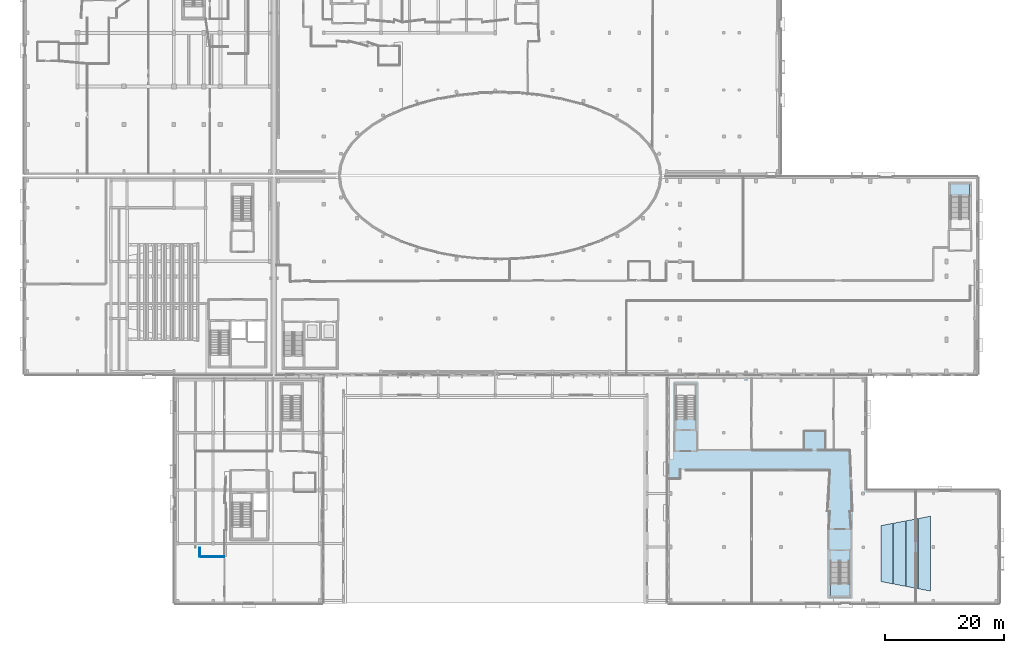
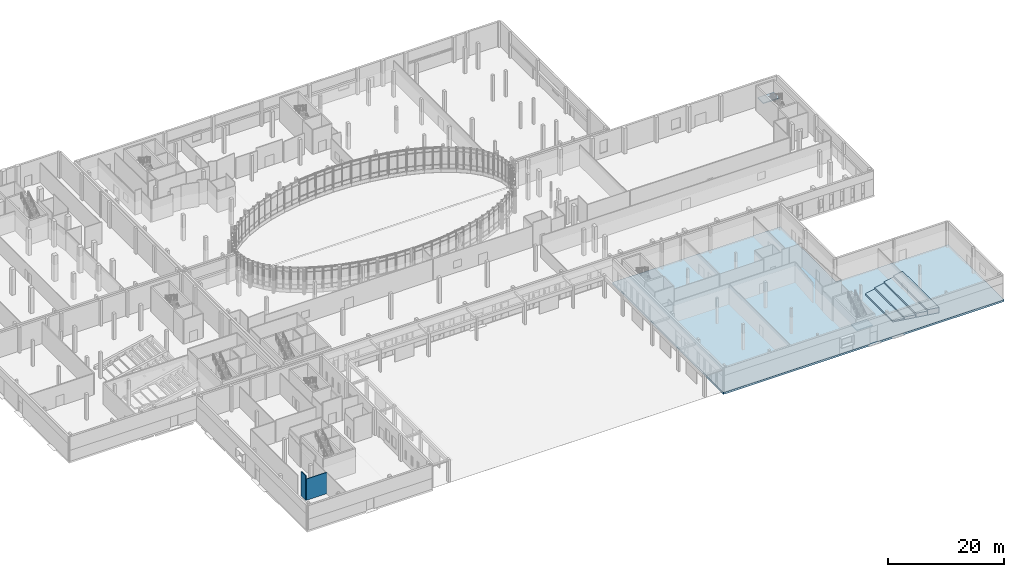
# One storey, part 37 of 84: 7 slabs, 2 walls, 2 elements without a shape of their own.
"""IFC4 building model written with IfcOpenShell, lengths in metres."""

from ifc_helpers import new_model, si_unit, direction, frame, frame_2d, origin, place, context, subcontext, project, spatial, polyline, rectangle, outline, extrude, material, layer, layer_set, type_object, element, aggregate, save


model = new_model("IFC4")

# Units and contexts
model_context = context("Model", 3, precision=1e-05, world=origin(), true_north=direction((0.0, 1.0)))
body_context = subcontext(model_context, "Body", "Model", "MODEL_VIEW")
ifc_project = project(units=[si_unit("LENGTHUNIT", "METRE"), si_unit("AREAUNIT", "SQUARE_METRE"), si_unit("VOLUMEUNIT", "CUBIC_METRE"), si_unit("PLANEANGLEUNIT", "RADIAN"), si_unit("MASSUNIT", "GRAM", prefix="KILO")], contexts=[model_context])

# Site, building, storey
site_placement = place(None, origin())
site = spatial("IfcSite", under=ifc_project, at=site_placement, CompositionType="ELEMENT")
building_placement = place(site_placement, origin())
building = spatial("IfcBuilding", under=site, at=building_placement, Name="Mzevani Central Library", CompositionType="ELEMENT")
storey_placement = place(building_placement, origin())
storey = spatial("IfcBuildingStorey", under=building, at=storey_placement, Name="L00", CompositionType="ELEMENT", Elevation=0.0)

# Slabs
ifc_material_1 = material(Name="Concrete C35/45", Category="concrete")
ifc_layer_1 = layer(ifc_material_1, 0.239990234375, Name="Auditorium Raked Tier Slab 240")
ifc_layer_set_1 = layer_set([ifc_layer_1], Name="Concrete C35/45")
slab_type_1 = type_object("IfcSlabType", Name="Auditorium Raked Tier Slab 240", PredefinedType="USERDEFINED", material=ifc_layer_set_1)
slab_1_placement = place(storey_placement, origin())
element("IfcSlab", 1, at=slab_1_placement, inside=storey, type_object=slab_type_1, Name="L00 Storytelling Amphitheatre Tier 1", ObjectType="SEATING TIER", PredefinedType="USERDEFINED", context=body_context, shape_type="SweptSolid", body=[
    extrude(outline(polyline([(148.0, 7.800048828125), (150.050048828125, 7.39990234375), (150.050048828125, 17.60009765625), (148.0, 17.199951171875), (148.0, 7.800048828125)])), origin(), (0.0, 0.0, 1.0), 0.280029296875),
])
slab_2_placement = place(storey_placement, origin())
element("IfcSlab", 2, at=slab_2_placement, inside=storey, type_object=slab_type_1, Name="L00 Storytelling Amphitheatre Tier 2", ObjectType="SEATING TIER", PredefinedType="USERDEFINED", context=body_context, shape_type="SweptSolid", body=[
    extrude(outline(polyline([(150.10009765625, 7.39990234375), (152.14990234375, 7.0), (152.14990234375, 18.0), (150.10009765625, 17.60009765625), (150.10009765625, 7.39990234375)])), origin(), (0.0, 0.0, 1.0), 0.56005859375),
])
slab_3_placement = place(storey_placement, origin())
element("IfcSlab", 3, at=slab_3_placement, inside=storey, type_object=slab_type_1, Name="L00 Storytelling Amphitheatre Tier 3", ObjectType="SEATING TIER", PredefinedType="USERDEFINED", context=body_context, shape_type="SweptSolid", body=[
    extrude(outline(polyline([(152.199951171875, 7.0), (154.25, 6.60009765625), (154.25, 18.39990234375), (152.199951171875, 18.0), (152.199951171875, 7.0)])), origin(), (0.0, 0.0, 1.0), 0.840087890625),
])
slab_4_placement = place(storey_placement, origin())
element("IfcSlab", 4, at=slab_4_placement, inside=storey, type_object=slab_type_1, Name="L00 Storytelling Amphitheatre Tier 4", ObjectType="SEATING TIER", PredefinedType="USERDEFINED", context=body_context, shape_type="SweptSolid", body=[
    extrude(outline(polyline([(154.300048828125, 6.60009765625), (156.35009765625, 6.199951171875), (156.35009765625, 18.800048828125), (154.300048828125, 18.39990234375), (154.300048828125, 6.60009765625)])), origin(), (0.0, 0.0, 1.0), 1.1201171875),
])
ifc_layer_2 = layer(ifc_material_1, 0.39990234375, Name="Ground Plinth Base Slab 400")
ifc_layer_set_2 = layer_set([ifc_layer_2], Name="Concrete C35/45")
slab_type_2 = type_object("IfcSlabType", Name="Ground Plinth Base Slab 400", PredefinedType="BASESLAB", material=ifc_layer_set_2)
slab_5_placement = place(storey_placement, frame((0.0, 0.0, -0.39990234375)))
element("IfcSlab", 5, at=slab_5_placement, inside=storey, type_object=slab_type_2, Name="L00 V6 Structural Slab GS-01", PredefinedType="BASESLAB", context=body_context, shape_type="SweptSolid", body=[
    extrude(outline(polyline([(168.0, 23.199951171875), (168.0, 4.0), (112.10009765625, 4.0), (112.10009765625, 42.300048828125), (145.60009765625, 42.300048828125), (145.60009765625, 23.199951171875), (168.0, 23.199951171875)])), origin(), (0.0, 0.0, 1.0), 0.39990234375),
])

# Stair, slab
stair_type = type_object("IfcStairType", Name="Dogleg Exit Stair 180x280", PredefinedType="HALF_TURN_STAIR", material=ifc_material_1)
stair_1_placement = place(storey_placement, origin())
stair_1 = element("IfcStair", 6, at=stair_1_placement, inside=storey, type_object=stair_type, Name="L00 Core C1B Reading Hall East Exit Stair ST-01", PredefinedType="HALF_TURN_STAIR")
ifc_layer_3 = layer(ifc_material_1, 0.199951171875, Name="Stair Landing Slab 200")
ifc_layer_set_3 = layer_set([ifc_layer_3], Name="Concrete C35/45")
slab_type_3 = type_object("IfcSlabType", Name="Stair Landing Slab 200", PredefinedType="LANDING", material=ifc_layer_set_3)
slab_6_placement = place(storey_placement, frame((0.0, 0.0, 2.5)))
slab_6 = element("IfcSlab", 7, at=slab_6_placement, type_object=slab_type_3, Name="ST-02 landing 1", PredefinedType="LANDING", context=body_context, shape_type="SweptSolid", body=[
    extrude(outline(polyline([(162.89990234375, 72.6201171875), (162.89990234375, 74.60009765625), (159.699951171875, 74.60009765625), (159.699951171875, 72.6201171875), (162.89990234375, 72.6201171875)])), origin(), (0.0, 0.0, 1.0), 0.199951171875),
])
aggregate(stair_1, [slab_6])

stair_2_placement = place(storey_placement, origin())
stair_2 = element("IfcStair", 8, at=stair_2_placement, inside=storey, type_object=stair_type, Name="L00 Core C6B Children's Pavilion East Stair Exit Stair ST-01", PredefinedType="HALF_TURN_STAIR")
slab_7_placement = place(storey_placement, frame((0.0, 0.0, 2.5)))
slab_7 = element("IfcSlab", 9, at=slab_7_placement, type_object=slab_type_3, Name="ST-12 landing 1", PredefinedType="LANDING", context=body_context, shape_type="SweptSolid", body=[
    extrude(outline(polyline([(139.5, 7.3798828125), (139.5, 5.39990234375), (142.699951171875, 5.39990234375), (142.699951171875, 7.3798828125), (139.5, 7.3798828125)])), origin(), (0.0, 0.0, 1.0), 0.199951171875),
])
aggregate(stair_2, [slab_7])

# Walls
ifc_material_2 = material(Name="Fire-rated gypsum board", Category="gypsum")
ifc_layer_4 = layer(ifc_material_2, 0.14990234375, Name="Partition Study 150")
ifc_layer_set_4 = layer_set([ifc_layer_4], Name="Fire-rated gypsum board")
wall_type = type_object("IfcWallType", Name="Partition Study 150", PredefinedType="PARTITIONING", material=ifc_layer_set_4)
wall_1_placement = place(storey_placement, frame((33.574951171875, 13.5, 0.0), z_axis=(0.0, 0.0, 1.0), x_axis=(0.0, -1.0, 0.0)))
element("IfcWall", 10, at=wall_1_placement, inside=storey, type_object=wall_type, Name="L00 V4 Partition IW-03 (154)", PredefinedType="PARTITIONING", context=body_context, shape_type="SweptSolid", body=[
    extrude(rectangle(XDim=1.52490234375, YDim=0.14990234375, at=frame_2d((0.762451171875, 0.0))), origin(), (0.0, 0.0, 1.0), 5.139892578125),
])
wall_2_placement = place(storey_placement, frame((33.675048828125, 11.97509765625, 0.0), z_axis=(0.0, 0.0, 1.0), x_axis=(1.0, 0.0, 0.0)))
element("IfcWall", 11, at=wall_2_placement, inside=storey, type_object=wall_type, Name="L00 V4 Partition IW-03 (155)", PredefinedType="PARTITIONING", context=body_context, shape_type="SweptSolid", body=[
    extrude(rectangle(XDim=4.018310546875, YDim=0.14990234375, at=frame_2d((2.00927734375, 0.0))), origin(), (0.0, 0.0, 1.0), 4.469970703125),
])

save(model, "model.ifc")
